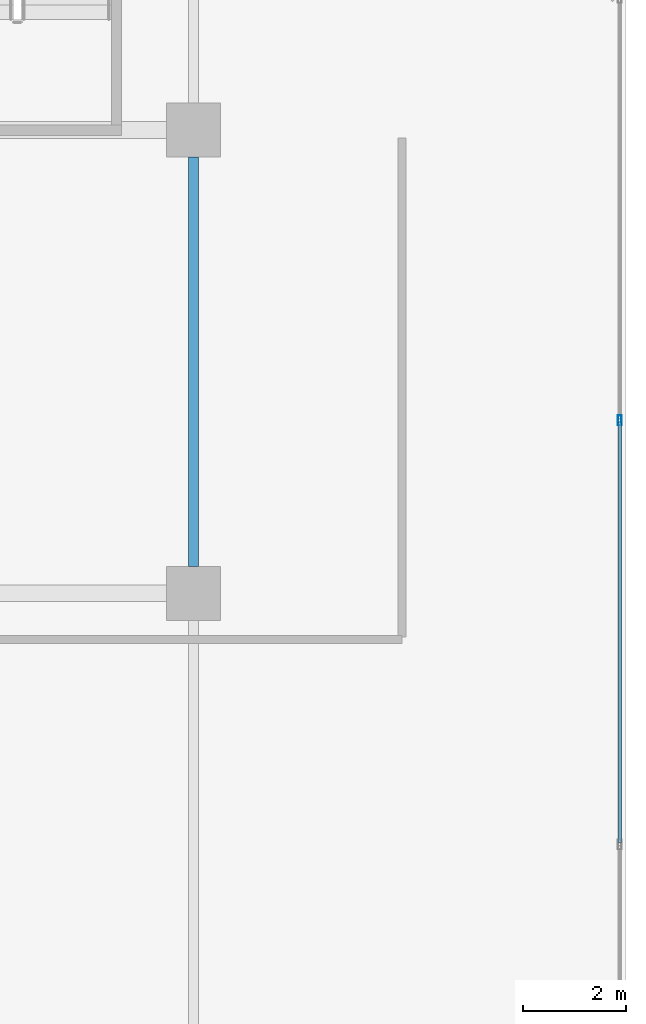
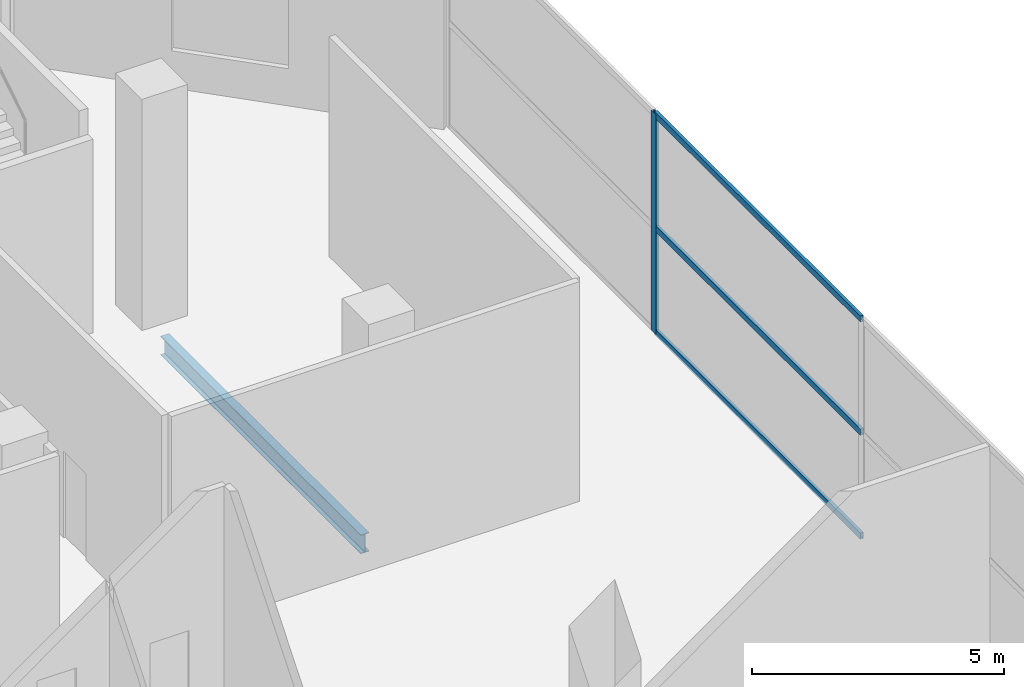
# One storey, part 28 of 40: 4 members, 1 beam, 1 element without a shape of its own.
"""IFC4 building model written with IfcOpenShell, lengths in metres."""

import ifcopenshell
import ifcopenshell.guid

model = None  # the IFC model being written
_history = None  # IfcOwnerHistory: only IFC2X3 demands one
_inside = {}  # id of a spatial element -> (the spatial element, [elements in it])
_under = {}  # id of a project, library or spatial element -> (it, [spatial elements below it])
_declared = {}  # id of a project -> (the project, [libraries it declares])
_typed = {}  # id of a type object -> (the type object, [elements of that type])
_made_of = {}  # id of a material, layer set ... -> (it, [elements and type objects made of it])


def new_model(schema):
    """Start an empty IFC model of exactly this schema.

    Asked for "IFC4X3", IfcOpenShell would pick the latest addendum, in which some entities
    have other attributes; the version numbers below select the first issue.
    IFC2X3 requires an IfcOwnerHistory on every rooted entity: one is made here for all.
    """
    global model, _history
    if schema == "IFC4X3":
        model = ifcopenshell.file(schema_version=(4, 3, 0, 0))
    else:
        model = ifcopenshell.file(schema=schema)
    _inside.clear()
    _under.clear()
    _declared.clear()
    _typed.clear()
    _made_of.clear()
    _history = None
    if model.schema == "IFC2X3":
        org = make("IfcOrganization", Name="unknown")
        user = make(
            "IfcPersonAndOrganization",
            ThePerson=make("IfcPerson", FamilyName="unknown"),
            TheOrganization=org,
        )
        app = make(
            "IfcApplication",
            ApplicationDeveloper=org,
            Version="unknown",
            ApplicationFullName="unknown",
            ApplicationIdentifier="unknown",
        )
        _history = make(
            "IfcOwnerHistory",
            OwningUser=user,
            OwningApplication=app,
            ChangeAction="ADDED",
            CreationDate=0,
        )
    return model


def make(cls, **values):
    """One entity of the class cls with the attributes given. An attribute that is None is left unset."""
    return model.create_entity(
        cls, **{name: value for name, value in values.items() if value is not None}
    )


def rooted(cls, **values):
    """An entity with a GlobalId (a new one), such as an element, a storey or a relation."""
    return make(cls, GlobalId=ifcopenshell.guid.new(), OwnerHistory=_history, **values)


def si_unit(unit_type, name, prefix=None):
    """IfcSIUnit, for example si_unit("LENGTHUNIT", "METRE", prefix="MILLI")."""
    return make("IfcSIUnit", UnitType=unit_type, Prefix=prefix, Name=name)


def assignment(units):
    """IfcUnitAssignment: the units of a project."""
    return None if units is None else make("IfcUnitAssignment", Units=units)


def point(xyz):
    """IfcCartesianPoint."""
    return None if xyz is None else make("IfcCartesianPoint", Coordinates=xyz)


def direction(xyz):
    """IfcDirection."""
    return None if xyz is None else make("IfcDirection", DirectionRatios=xyz)


def frame(location, z_axis=None, x_axis=None):
    """IfcAxis2Placement3D, a coordinate frame: its origin and axes. An axis left out is left unset."""
    return make(
        "IfcAxis2Placement3D",
        Location=point(location),
        Axis=direction(z_axis),
        RefDirection=direction(x_axis),
    )


def frame_2d(location, x_axis=None):
    """IfcAxis2Placement2D, a coordinate frame in the plane: its origin and x axis."""
    return make(
        "IfcAxis2Placement2D", Location=point(location), RefDirection=direction(x_axis)
    )


def origin():
    """The frame at (0, 0, 0) with its axes left unset."""
    return frame((0.0, 0.0, 0.0))


def origin_2d():
    """The frame at (0, 0) in the plane with its x axis left unset."""
    return frame_2d((0.0, 0.0))


def place(relative_to, where):
    """IfcLocalPlacement: puts the frame where relative to a parent placement (None: the world)."""
    return make(
        "IfcLocalPlacement", PlacementRelTo=relative_to, RelativePlacement=where
    )


def context(
    kind, dimensions, precision=None, world=None, true_north=None, identifier=None
):
    """IfcGeometricRepresentationContext, for example the 3D "Model" context."""
    return make(
        "IfcGeometricRepresentationContext",
        ContextIdentifier=identifier,
        ContextType=kind,
        CoordinateSpaceDimension=dimensions,
        Precision=precision,
        WorldCoordinateSystem=world,
        TrueNorth=true_north,
    )


def subcontext(parent, identifier, kind, view, scale=None):
    """IfcGeometricRepresentationSubContext, for example "Body" below "Model"."""
    return make(
        "IfcGeometricRepresentationSubContext",
        ContextIdentifier=identifier,
        ContextType=kind,
        ParentContext=parent,
        TargetScale=scale,
        TargetView=view,
    )


def project(units=None, contexts=None):
    """IfcProject with its units and contexts."""
    return rooted(
        "IfcProject",
        Name="project",
        RepresentationContexts=contexts,
        UnitsInContext=assignment(units),
    )


def spatial(cls, under=None, at=None, **own):
    """A site, building, storey or space (cls), placed at a placement, below another one or the project."""
    s = rooted(cls, ObjectPlacement=at, **own)
    if under is not None:
        _under.setdefault(under.id(), (under, []))[1].append(s)
    return s


def profile(cls, at=None, kind="AREA", **sizes):
    """A parametric profile (cls). Its sizes go by their IFC names, for example OverallWidth=200.0."""
    return make(cls, ProfileType=kind, Position=at, **sizes)


def hollow_rectangle(**sizes):
    """IfcRectangleHollowProfileDef."""
    return profile("IfcRectangleHollowProfileDef", **sizes)


def i_section(**sizes):
    """IfcIShapeProfileDef."""
    return profile("IfcIShapeProfileDef", **sizes)


def extrude(swept, where, along, depth):
    """IfcExtrudedAreaSolid: the profile swept, set in the frame where, extruded along a direction by depth."""
    return make(
        "IfcExtrudedAreaSolid",
        SweptArea=swept,
        Position=where,
        ExtrudedDirection=direction(along),
        Depth=depth,
    )


def shape(context_of_items, identifier, shape_type, items):
    """IfcShapeRepresentation: the items that make up one representation, for example the "Body"."""
    return make(
        "IfcShapeRepresentation",
        ContextOfItems=context_of_items,
        RepresentationIdentifier=identifier,
        RepresentationType=shape_type,
        Items=items,
    )


def material(Name=None, Category=None):
    """IfcMaterial."""
    return make("IfcMaterial", Name=Name, Category=Category)


def layer(
    of_material, thickness, ventilated=None, Name=None, Category=None, Priority=None
):
    """IfcMaterialLayer: one layer of a wall or slab, of a material (None: an air gap)."""
    return make(
        "IfcMaterialLayer",
        Material=of_material,
        LayerThickness=thickness,
        IsVentilated=ventilated,
        Name=Name,
        Category=Category,
        Priority=Priority,
    )


def layer_set(layers, Name=None):
    """IfcMaterialLayerSet."""
    return make("IfcMaterialLayerSet", MaterialLayers=layers, LayerSetName=Name)


def material_profile(
    of_material, cross_section, Name=None, Category=None, Priority=None
):
    """IfcMaterialProfile: a cross section and its material."""
    return make(
        "IfcMaterialProfile",
        Name=Name,
        Material=of_material,
        Profile=cross_section,
        Priority=Priority,
        Category=Category,
    )


def profile_set(profiles, Name=None, composite=None):
    """IfcMaterialProfileSet."""
    return make(
        "IfcMaterialProfileSet",
        Name=Name,
        MaterialProfiles=profiles,
        CompositeProfile=composite,
    )


def made_of(thing, what):
    """Note that an element or type object is made of a material, layer set ...; save() writes the relation."""
    if what is not None:
        _made_of.setdefault(what.id(), (what, []))[1].append(thing)
    return thing


def type_object(cls, material=None, **own):
    """A type object (cls), such as IfcWallType, which elements share."""
    return made_of(rooted(cls, **own), material)


def element(
    cls,
    number,
    at=None,
    inside=None,
    cuts=None,
    type_object=None,
    material=None,
    context=None,
    identifier="Body",
    shape_type=None,
    held_by="IfcProductDefinitionShape",
    body=None,
    shapes=None,
    **own,
):
    """One element of the class cls, such as IfcWall. Its Tag is "e" and its number.

    at: its placement. inside: the storey or other place that contains it. cuts: it is an
    opening in that element (IfcRelVoidsElement). A single representation is given by context,
    identifier, shape_type and body (its items); several are given by shapes. held_by: the class
    of the entity that holds the representations. save() writes the other relations.
    """
    e = rooted(cls, Tag="e%d" % number, ObjectPlacement=at, **own)
    if body is not None:
        shapes = [shape(context, identifier, shape_type, body)]
    if shapes is not None:
        e.Representation = make(held_by, Representations=shapes)
    if inside is not None:
        _inside.setdefault(inside.id(), (inside, []))[1].append(e)
    if cuts is not None:
        rooted(
            "IfcRelVoidsElement", RelatingBuildingElement=cuts, RelatedOpeningElement=e
        )
    if type_object is not None:
        _typed.setdefault(type_object.id(), (type_object, []))[1].append(e)
    return made_of(e, material)


def aggregate(whole, parts):
    """IfcRelAggregates: a whole, such as a stair, and the parts it consists of."""
    return rooted("IfcRelAggregates", RelatingObject=whole, RelatedObjects=parts)


def save(model, path):
    """Write the relations noted so far, then the file.

    IfcRelAggregates (storeys below a building ...), IfcRelContainedInSpatialStructure (elements
    in a storey), IfcRelDefinesByType, IfcRelAssociatesMaterial and IfcRelDeclares: one each for
    every whole, place, type object, material and project.
    """
    for whole, parts in _under.values():
        aggregate(whole, parts)
    for where, things in _inside.values():
        rooted(
            "IfcRelContainedInSpatialStructure",
            RelatedElements=things,
            RelatingStructure=where,
        )
    for kind, things in _typed.values():
        rooted("IfcRelDefinesByType", RelatedObjects=things, RelatingType=kind)
    for what, things in _made_of.values():
        rooted("IfcRelAssociatesMaterial", RelatedObjects=things, RelatingMaterial=what)
    for by, libraries in _declared.values():
        rooted("IfcRelDeclares", RelatingContext=by, RelatedDefinitions=libraries)
    model.write(path)


model = new_model("IFC4")

# Units and contexts
model_context = context("Model", 3, precision=1e-05, world=origin(), true_north=direction((0.0, 1.0)))
body_context = subcontext(model_context, "Body", "Model", "MODEL_VIEW")
ifc_project = project(units=[si_unit("LENGTHUNIT", "METRE"), si_unit("AREAUNIT", "SQUARE_METRE"), si_unit("VOLUMEUNIT", "CUBIC_METRE"), si_unit("PLANEANGLEUNIT", "RADIAN"), si_unit("MASSUNIT", "GRAM", prefix="KILO")], contexts=[model_context])

# Site, building, storey
site_placement = place(None, origin())
site = spatial("IfcSite", under=ifc_project, at=site_placement, CompositionType="ELEMENT")
building_placement = place(site_placement, origin())
building = spatial("IfcBuilding", under=site, at=building_placement, Name="Maruvema Waterfront Hotel and Observation Tower", CompositionType="ELEMENT")
storey_placement = place(building_placement, frame((0.0, 0.0, 10.85009765625)))
storey = spatial("IfcBuildingStorey", under=building, at=storey_placement, Name="L02", CompositionType="ELEMENT", Elevation=10.85009765625)

# Curtain wall, members
ifc_material_1 = material(Name="Anodised bronze aluminium and solar-control low-E IGU", Category="aluminium")
ifc_layer = layer(ifc_material_1, 0.159912109375, Name="Podium Waterfront Storefront Curtain Wall System CW-01")
ifc_layer_set = layer_set([ifc_layer], Name="Anodised bronze aluminium and solar-control low-E IGU")
curtain_wall_type = type_object("IfcCurtainWallType", Name="Podium Waterfront Storefront Curtain Wall System CW-01", PredefinedType="USERDEFINED", material=ifc_layer_set)
curtain_wall_placement = place(storey_placement, origin())
curtain_wall = element("IfcCurtainWall", 1, at=curtain_wall_placement, inside=storey, type_object=curtain_wall_type, Name="L02 Curtain Wall CW-L02-E", ObjectType="UNITISED CURTAIN WALL", PredefinedType="USERDEFINED")
ifc_material_2 = material(Name="Anodised architectural bronze aluminium", Category="aluminium")
ifc_material_profile_1 = material_profile(ifc_material_2, hollow_rectangle(XDim=0.070068359375, YDim=0.14990234375, WallThickness=0.00390625, at=origin_2d()), Name="ALU-T70x150")
ifc_profile_set_1 = profile_set([ifc_material_profile_1], Name="Anodised architectural bronze aluminium")
member_type_1 = type_object("IfcMemberType", Name="Curtain Wall Horizontal Transom ALU-T70x150", PredefinedType="USERDEFINED", material=ifc_profile_set_1)
member_1_placement = place(storey_placement, frame((75.47998046875, 31.14990234375, 0.02978515625), z_axis=(0.0, 1.0, 0.0), x_axis=(-1.0, 0.0, 0.0)))
member_1 = element("IfcMember", 2, at=member_1_placement, type_object=member_type_1, Name="CW-01 transom 4.1", ObjectType="TRANSOM", PredefinedType="USERDEFINED", context=body_context, shape_type="SweptSolid", body=[
    extrude(hollow_rectangle(XDim=0.070068359375, YDim=0.14990234375, WallThickness=0.00390625, at=origin_2d()), origin(), (0.0, 0.0, 1.0), 8.18017578125),
])
member_2_placement = place(storey_placement, frame((75.47998046875, 31.14990234375, 2.5498046875), z_axis=(0.0, 1.0, 0.0), x_axis=(-1.0, 0.0, 0.0)))
member_2 = element("IfcMember", 3, at=member_2_placement, type_object=member_type_1, Name="CW-01 transom 4.2", ObjectType="TRANSOM", PredefinedType="USERDEFINED", context=body_context, shape_type="SweptSolid", body=[
    extrude(hollow_rectangle(XDim=0.070068359375, YDim=0.14990234375, WallThickness=0.00390625, at=origin_2d()), origin(), (0.0, 0.0, 1.0), 8.18017578125),
])
member_3_placement = place(storey_placement, frame((75.47998046875, 31.14990234375, 5.289794921875), z_axis=(0.0, 1.0, 0.0), x_axis=(-1.0, 0.0, 0.0)))
member_3 = element("IfcMember", 4, at=member_3_placement, type_object=member_type_1, Name="CW-01 transom 4.3", ObjectType="TRANSOM", PredefinedType="USERDEFINED", context=body_context, shape_type="SweptSolid", body=[
    extrude(hollow_rectangle(XDim=0.070068359375, YDim=0.14990234375, WallThickness=0.00390625, at=origin_2d()), origin(), (0.0, 0.0, 1.0), 8.18017578125),
])

# Beam
ifc_material_3 = material(Name="Steel ASTM A572 Grade 50", Category="steel")
ifc_material_profile_2 = material_profile(ifc_material_3, i_section(OverallWidth=0.18994140625, OverallDepth=0.45703125, WebThickness=0.009033203125, FlangeThickness=0.014404296875, FilletRadius=0.014892578125, at=origin_2d()), Name="W460x74.0")
ifc_profile_set_2 = profile_set([ifc_material_profile_2], Name="Steel ASTM A572 Grade 50")
beam_type = type_object("IfcBeamType", Name="Perimeter Spandrel Beam W460x74.0", PredefinedType="SPANDREL", material=ifc_profile_set_2)
beam_placement = place(storey_placement, frame((67.199951171875, 36.52490234375, -0.508544921875), z_axis=(0.0, 1.0, 0.0), x_axis=(-1.0, 0.0, 0.0)))
element("IfcBeam", 5, at=beam_placement, inside=storey, type_object=beam_type, Name="L02 Floor Girder NS-33", PredefinedType="SPANDREL", context=body_context, shape_type="SweptSolid", body=[
    extrude(i_section(OverallWidth=0.18994140625, OverallDepth=0.45703125, WebThickness=0.009033203125, FlangeThickness=0.014404296875, FilletRadius=0.014892578125, at=origin_2d()), origin(), (0.0, 0.0, 1.0), 7.9501953125),
])

# Member
ifc_material_4 = material(Name="Anodised architectural bronze aluminium", Category="aluminium")
ifc_material_profile_3 = material_profile(ifc_material_4, hollow_rectangle(XDim=0.070068359375, YDim=0.18994140625, WallThickness=0.00390625, at=origin_2d()), Name="ALU-M70x190")
ifc_profile_set_3 = profile_set([ifc_material_profile_3], Name="Anodised architectural bronze aluminium")
member_type_2 = type_object("IfcMemberType", Name="Podium Storefront Heavy Mullion ALU-M70x190", PredefinedType="MULLION", material=ifc_profile_set_3)
member_4_placement = place(storey_placement, frame((75.47998046875, 39.360107421875, 0.0), z_axis=(0.0, 0.0, 1.0), x_axis=(-1.0, 0.0, 0.0)))
member_4 = element("IfcMember", 6, at=member_4_placement, type_object=member_type_2, Name="CW-01 mullion 5", PredefinedType="MULLION", context=body_context, shape_type="SweptSolid", body=[
    extrude(hollow_rectangle(XDim=0.070068359375, YDim=0.18994140625, WallThickness=0.00390625, at=origin_2d()), origin(), (0.0, 0.0, 1.0), 5.31982421875),
])

aggregate(curtain_wall, [member_4, member_1, member_2, member_3])

save(model, "model.ifc")
